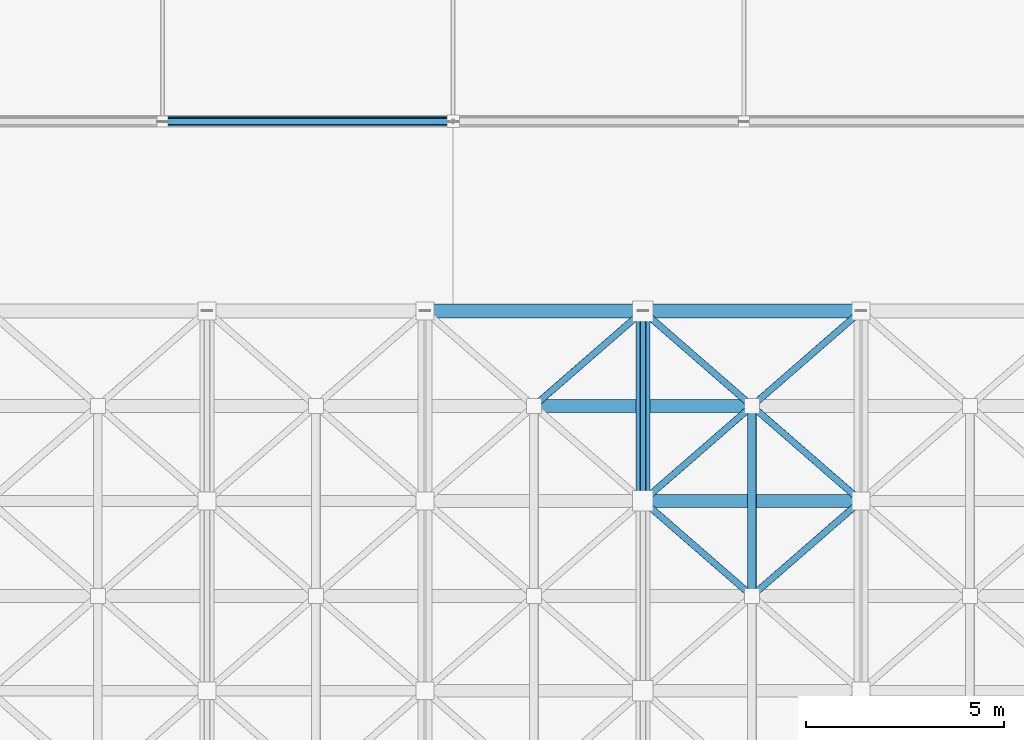
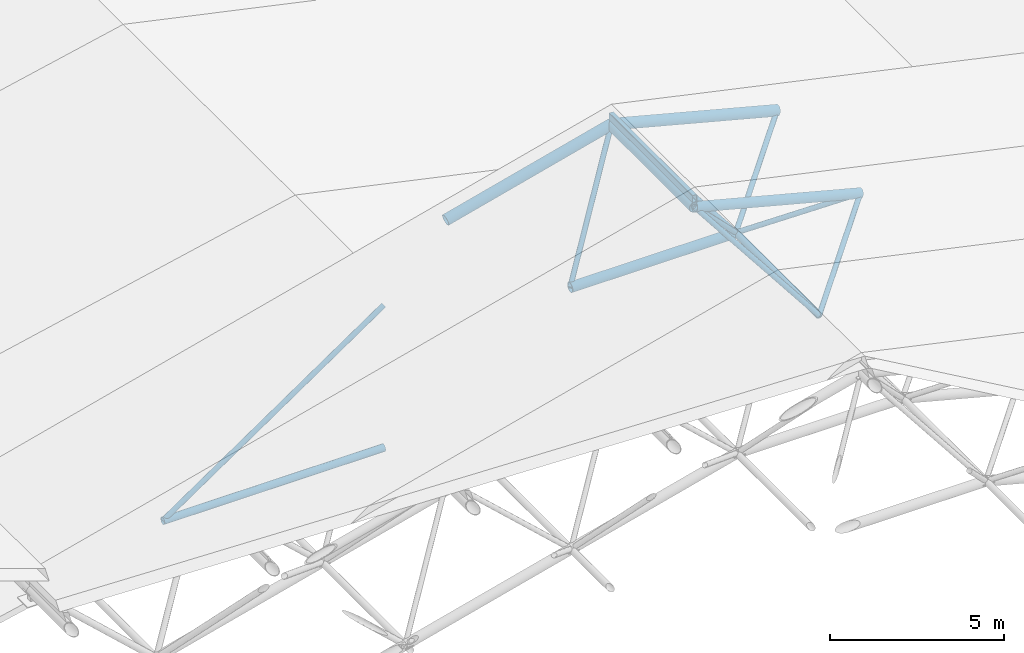
# One storey, part 10 of 60: 16 members.
"""IFC4 building model written with IfcOpenShell, lengths in metres."""

from ifc_helpers import new_model, si_unit, direction, frame, origin, origin_2d, place, context, subcontext, project, spatial, hollow_rectangle, hollow_circle, extrude, material, material_profile, profile_set, type_object, element, save


model = new_model("IFC4")

# Units and contexts
model_context = context("Model", 3, precision=1e-05, world=origin(), true_north=direction((0.0, 1.0)))
body_context = subcontext(model_context, "Body", "Model", "MODEL_VIEW")
ifc_project = project(units=[si_unit("LENGTHUNIT", "METRE"), si_unit("AREAUNIT", "SQUARE_METRE"), si_unit("VOLUMEUNIT", "CUBIC_METRE"), si_unit("PLANEANGLEUNIT", "RADIAN"), si_unit("MASSUNIT", "GRAM", prefix="KILO")], contexts=[model_context])

# Site, building, storey
site_placement = place(None, origin())
site = spatial("IfcSite", under=ifc_project, at=site_placement, CompositionType="ELEMENT")
building_placement = place(site_placement, origin())
building = spatial("IfcBuilding", under=site, at=building_placement, Name="Nakhvara Creek Congress Hotel", CompositionType="ELEMENT")
storey_placement = place(building_placement, frame((0.0, 0.0, 54.60009765625)))
storey = spatial("IfcBuildingStorey", under=building, at=storey_placement, Name="RL1", CompositionType="ELEMENT", Elevation=54.60009765625)

# Members
ifc_material = material(Name="Steel S355J2H", Category="steel")
ifc_material_profile_1 = material_profile(ifc_material, hollow_circle(Radius=0.084228515625, WallThickness=0.008056640625, at=origin_2d()), Name="CHS 168.3x8.0", Category="LoadBearing")
ifc_profile_set_1 = profile_set([ifc_material_profile_1], Name="Steel S355J2H")
member_type_1 = type_object("IfcMemberType", Name="MEM-BRC-CHS168", PredefinedType="BRACE", material=ifc_profile_set_1)
member_1_placement = place(storey_placement, frame((19.050048828125, 91.199951171875, -41.89013671875), z_axis=(0.826292954583, 0.0, 0.563240581996), x_axis=(0.0, 1.0, 0.0)))
element("IfcMember", 1, at=member_1_placement, inside=storey, type_object=member_type_1, Name="Ballroom Roof Truss Web Brace 01.3", PredefinedType="BRACE", context=body_context, shape_type="SweptSolid", body=[
    extrude(hollow_circle(Radius=0.084228515625, WallThickness=0.008056640625, at=origin_2d()), origin(), (0.0, 0.0, 1.0), 8.89501953125),
])
ifc_material_profile_2 = material_profile(ifc_material, hollow_circle(Radius=0.084228515625, WallThickness=0.010009765625, at=origin_2d()), Name="CHS 168.3x10.0", Category="LoadBearing")
ifc_profile_set_2 = profile_set([ifc_material_profile_2], Name="Steel S355J2H")
member_type_2 = type_object("IfcMemberType", Name="MEM-BRC-CHS168H", PredefinedType="BRACE", material=ifc_profile_set_2)
member_2_placement = place(storey_placement, frame((33.956298828125, 79.199951171875, -32.610107421875), z_axis=(-0.558223547657, 0.486084649868, 0.672389904746), x_axis=(-0.656696195101, -0.754155227616, 0.0)))
element("IfcMember", 2, at=member_2_placement, inside=storey, type_object=member_type_2, Name="Congress Space Frame Web Diagonal 0647", PredefinedType="BRACE", context=body_context, shape_type="SweptSolid", body=[
    extrude(hollow_circle(Radius=0.084228515625, WallThickness=0.010009765625, at=origin_2d()), origin(), (0.0, 0.0, 1.0), 4.937744140625),
])
member_3_placement = place(storey_placement, frame((33.956298828125, 79.199951171875, -32.610107421875), z_axis=(0.670592992914, 0.58398438421, 0.457457404414), x_axis=(-0.656729278158, 0.754126418587, 0.0)))
element("IfcMember", 3, at=member_3_placement, inside=storey, type_object=member_type_2, Name="Congress Space Frame Web Diagonal 0648", PredefinedType="BRACE", context=body_context, shape_type="SweptSolid", body=[
    extrude(hollow_circle(Radius=0.084228515625, WallThickness=0.010009765625, at=origin_2d()), origin(), (0.0, 0.0, 1.0), 4.10986328125),
])
for number, where, z_axis, x_axis, name in (
    (4, (28.44384765625, 84.0, -32.610107421875), (0.558202925689, 0.486060302908, 0.672424624541), (-0.656691284984, 0.754159503173, 0.0), "Congress Space Frame Web Diagonal 0685"),
    (5, (33.956298828125, 84.0, -32.610107421875), (-0.558236963804, -0.486046886997, 0.672406064728), (0.656658200939, -0.754188310132, 0.0), "Congress Space Frame Web Diagonal 0687"),
):
    element("IfcMember", number, at=place(storey_placement, frame(where, z_axis=z_axis, x_axis=x_axis)), inside=storey, type_object=member_type_2, Name=name, PredefinedType="BRACE", context=body_context, shape_type="SweptSolid", body=[
        extrude(hollow_circle(Radius=0.084228515625, WallThickness=0.010009765625, at=origin_2d()), origin(), (0.0, 0.0, 1.0), 4.9375),
    ])
member_4_placement = place(storey_placement, frame((33.956298828125, 84.0, -32.610107421875), z_axis=(0.670616255838, -0.583945238275, 0.457473273648), x_axis=(0.656691284984, 0.754159503173, 0.0)))
element("IfcMember", 6, at=member_4_placement, inside=storey, type_object=member_type_2, Name="Congress Space Frame Web Diagonal 0688", PredefinedType="BRACE", context=body_context, shape_type="SweptSolid", body=[
    extrude(hollow_circle(Radius=0.084228515625, WallThickness=0.010009765625, at=origin_2d()), origin(), (0.0, 0.0, 1.0), 4.10986328125),
])
member_5_placement = place(storey_placement, frame((33.956298828125, 84.0, -32.610107421875), z_axis=(-0.558236963804, 0.486046886997, 0.672406064728), x_axis=(-0.656658200939, -0.754188310132, 0.0)))
element("IfcMember", 7, at=member_5_placement, inside=storey, type_object=member_type_2, Name="Congress Space Frame Web Diagonal 0689", PredefinedType="BRACE", context=body_context, shape_type="SweptSolid", body=[
    extrude(hollow_circle(Radius=0.084228515625, WallThickness=0.010009765625, at=origin_2d()), origin(), (0.0, 0.0, 1.0), 4.9375),
])
member_6_placement = place(storey_placement, frame((33.956298828125, 84.0, -32.610107421875), z_axis=(0.670616255838, 0.583945238275, 0.457473273648), x_axis=(-0.656691284984, 0.754159503173, 0.0)))
element("IfcMember", 8, at=member_6_placement, inside=storey, type_object=member_type_2, Name="Congress Space Frame Web Diagonal 0690", PredefinedType="BRACE", context=body_context, shape_type="SweptSolid", body=[
    extrude(hollow_circle(Radius=0.084228515625, WallThickness=0.010009765625, at=origin_2d()), origin(), (0.0, 0.0, 1.0), 4.10986328125),
])
ifc_material_profile_3 = material_profile(ifc_material, hollow_circle(Radius=0.109619140625, WallThickness=0.012451171875, at=origin_2d()), Name="CHS 219.1x12.5", Category="LoadBearing")
ifc_profile_set_3 = profile_set([ifc_material_profile_3], Name="Steel S355J2H")
member_type_3 = type_object("IfcMemberType", Name="MEM-CHD-CHS219H", PredefinedType="CHORD", material=ifc_profile_set_3)
member_7_placement = place(storey_placement, frame((33.956298828125, 79.199951171875, -32.610107421875), z_axis=(0.0, 1.0, 0.0), x_axis=(-1.0, 0.0, 0.0)))
element("IfcMember", 9, at=member_7_placement, inside=storey, type_object=member_type_3, Name="Congress Roof Truss Bottom Tie 0644", PredefinedType="CHORD", context=body_context, shape_type="SweptSolid", body=[
    extrude(hollow_circle(Radius=0.109619140625, WallThickness=0.012451171875, at=origin_2d()), origin(), (0.0, 0.0, 1.0), 4.800048828125),
])
ifc_material_profile_4 = material_profile(ifc_material, hollow_circle(Radius=0.122314453125, WallThickness=0.012451171875, at=origin_2d()), Name="CHS 244.5x12.5", Category="LoadBearing")
ifc_profile_set_4 = profile_set([ifc_material_profile_4], Name="Steel S355J2H")
member_type_4 = type_object("IfcMemberType", Name="MEM-CHD-CHS244", PredefinedType="CHORD", material=ifc_profile_set_4)
member_8_placement = place(storey_placement, frame((19.050048828125, 91.199951171875, -41.89013671875), z_axis=(1.0, 0.0, 0.0), x_axis=(0.0, 1.0, 0.0)))
element("IfcMember", 10, at=member_8_placement, inside=storey, type_object=member_type_4, Name="Ballroom Roof Truss Bottom Chord 01.3", PredefinedType="CHORD", context=body_context, shape_type="SweptSolid", body=[
    extrude(hollow_circle(Radius=0.122314453125, WallThickness=0.012451171875, at=origin_2d()), origin(), (0.0, 0.0, 1.0), 7.349853515625),
])
ifc_material_profile_5 = material_profile(ifc_material, hollow_circle(Radius=0.161865234375, WallThickness=0.012451171875, at=origin_2d()), Name="CHS 323.9x12.5", Category="LoadBearing")
ifc_profile_set_5 = profile_set([ifc_material_profile_5], Name="Steel S355J2H")
member_type_5 = type_object("IfcMemberType", Name="MEM-CHD-CHS324", PredefinedType="CHORD", material=ifc_profile_set_5)
member_9_placement = place(storey_placement, frame((28.44384765625, 84.0, -32.610107421875), z_axis=(1.0, 0.0, 0.0), x_axis=(0.0, 1.0, 0.0)))
element("IfcMember", 11, at=member_9_placement, inside=storey, type_object=member_type_5, Name="Congress Space Frame Bottom Chord 0681", PredefinedType="CHORD", context=body_context, shape_type="SweptSolid", body=[
    extrude(hollow_circle(Radius=0.161865234375, WallThickness=0.012451171875, at=origin_2d()), origin(), (0.0, 0.0, 1.0), 5.512451171875),
])
ifc_material_profile_6 = material_profile(ifc_material, hollow_circle(Radius=0.161865234375, WallThickness=0.01611328125, at=origin_2d()), Name="CHS 323.9x16.0", Category="LoadBearing")
ifc_profile_set_6 = profile_set([ifc_material_profile_6], Name="Steel S355J2H")
member_type_6 = type_object("IfcMemberType", Name="MEM-CHD-CHS324H", PredefinedType="CHORD", material=ifc_profile_set_6)
member_10_placement = place(storey_placement, frame((31.199951171875, 81.60009765625, -29.2900390625), z_axis=(0.967535311358, 0.0, -0.252735872554), x_axis=(0.0, 1.0, 0.0)))
element("IfcMember", 12, at=member_10_placement, inside=storey, type_object=member_type_6, Name="Congress Space Frame Top Chord 0179", PredefinedType="CHORD", context=body_context, shape_type="SweptSolid", body=[
    extrude(hollow_circle(Radius=0.161865234375, WallThickness=0.01611328125, at=origin_2d()), origin(), (0.0, 0.0, 1.0), 5.697509765625),
])
ifc_material_profile_7 = material_profile(ifc_material, hollow_circle(Radius=0.177734375, WallThickness=0.01611328125, at=origin_2d()), Name="CHS 355.6x16.0", Category="LoadBearing")
ifc_profile_set_7 = profile_set([ifc_material_profile_7], Name="Steel S355J2H")
member_type_7 = type_object("IfcMemberType", Name="MEM-CHD-CHS355", PredefinedType="CHORD", material=ifc_profile_set_7)
member_11_placement = place(storey_placement, frame((31.199951171875, 81.60009765625, -29.2900390625), z_axis=(0.0, 1.0, 0.0), x_axis=(-1.0, 0.0, 0.0)))
element("IfcMember", 13, at=member_11_placement, inside=storey, type_object=member_type_7, Name="Congress Roof Truss Longitudinal Chord 0180", PredefinedType="CHORD", context=body_context, shape_type="SweptSolid", body=[
    extrude(hollow_circle(Radius=0.177734375, WallThickness=0.01611328125, at=origin_2d()), origin(), (0.0, 0.0, 1.0), 4.7998046875),
])
for number, where, z_axis, x_axis, name in (
    (14, (25.6875, 86.39990234375, -30.72998046875), (0.967535311358, 0.0, 0.252735872554), (0.0, 1.0, 0.0), "Congress Space Frame Top Chord 0191"),
    (15, (31.199951171875, 86.39990234375, -29.2900390625), (0.967535311358, 0.0, -0.252735872554), (0.0, 1.0, 0.0), "Congress Space Frame Top Chord 0192"),
):
    element("IfcMember", number, at=place(storey_placement, frame(where, z_axis=z_axis, x_axis=x_axis)), inside=storey, type_object=member_type_7, Name=name, PredefinedType="CHORD", context=body_context, shape_type="SweptSolid", body=[
        extrude(hollow_circle(Radius=0.177734375, WallThickness=0.01611328125, at=origin_2d()), origin(), (0.0, 0.0, 1.0), 5.697509765625),
    ])
ifc_material_profile_8 = material_profile(ifc_material, hollow_rectangle(XDim=0.14990234375, YDim=0.25, WallThickness=0.010009765625, InnerFilletRadius=0.010009765625, OuterFilletRadius=0.02001953125, at=origin_2d()), Name="RHS 250x150x10.0", Category="LoadBearing")
ifc_profile_set_8 = profile_set([ifc_material_profile_8], Name="Steel S355J2H")
member_type_8 = type_object("IfcMemberType", Name="MEM-PUR-RHS250", PredefinedType="PURLIN", material=ifc_profile_set_8)
member_12_placement = place(storey_placement, frame((31.199951171875, 81.60009765625, -28.9931640625), z_axis=(0.0, 1.0, 0.0), x_axis=(-1.0, 0.0, 0.0)))
element("IfcMember", 16, at=member_12_placement, inside=storey, type_object=member_type_8, Name="Congress Roof Purlin 055", PredefinedType="PURLIN", context=body_context, shape_type="SweptSolid", body=[
    extrude(hollow_rectangle(XDim=0.14990234375, YDim=0.25, WallThickness=0.010009765625, InnerFilletRadius=0.010009765625, OuterFilletRadius=0.02001953125, at=origin_2d()), origin(), (0.0, 0.0, 1.0), 4.7998046875),
])

save(model, "model.ifc")
